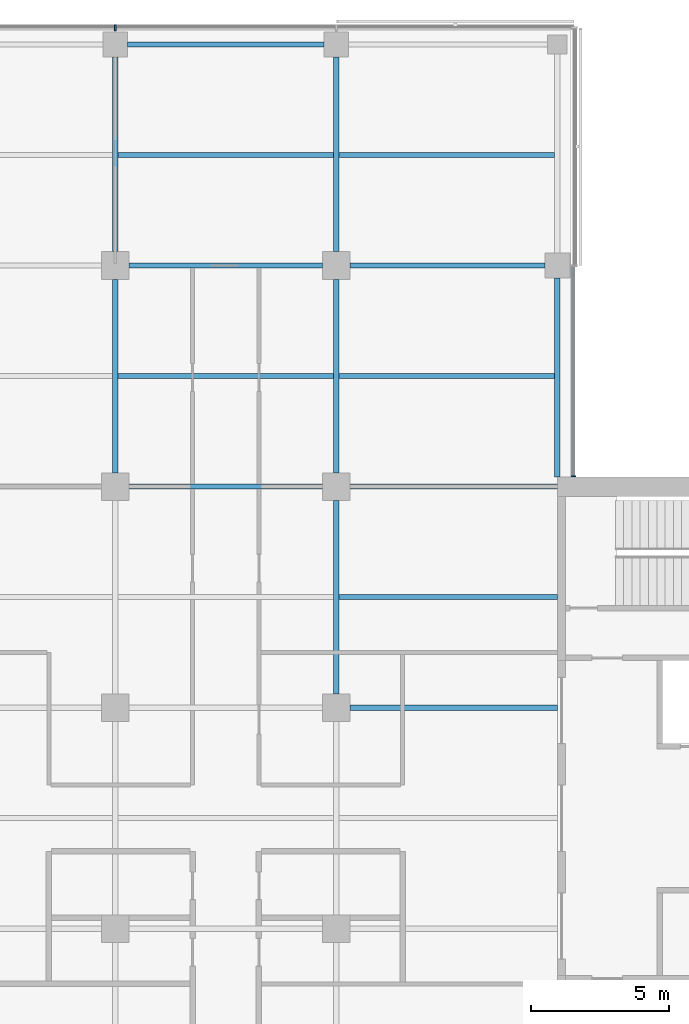
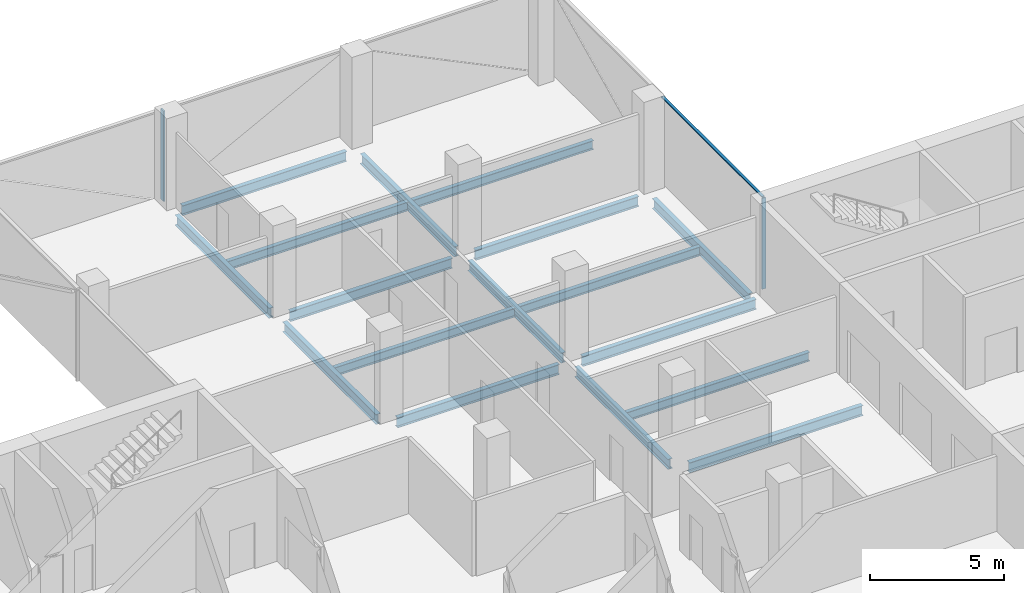
# One storey, part 9 of 22: 17 beams, 3 members, 2 elements without a shape of their own.
"""IFC4 building model written with IfcOpenShell, lengths in metres."""

from ifc_helpers import new_model, si_unit, direction, frame, origin, origin_2d, place, context, subcontext, project, spatial, rectangle, i_section, extrude, material, material_profile, profile_set, type_object, element, aggregate, save


model = new_model("IFC4")

# Units and contexts
model_context = context("Model", 3, precision=1e-05, world=origin(), true_north=direction((0.0, 1.0)))
body_context = subcontext(model_context, "Body", "Model", "MODEL_VIEW")
ifc_project = project(units=[si_unit("LENGTHUNIT", "METRE"), si_unit("AREAUNIT", "SQUARE_METRE"), si_unit("VOLUMEUNIT", "CUBIC_METRE"), si_unit("PLANEANGLEUNIT", "RADIAN"), si_unit("MASSUNIT", "GRAM", prefix="KILO")], contexts=[model_context])

# Site, building, storey
site_placement = place(None, origin())
site = spatial("IfcSite", under=ifc_project, at=site_placement, CompositionType="ELEMENT")
building_placement = place(site_placement, origin())
building = spatial("IfcBuilding", under=site, at=building_placement, Name="Crosswind Convention Tower", CompositionType="ELEMENT")
storey_placement = place(building_placement, frame((0.0, 0.0, 154.699951171875)))
storey = spatial("IfcBuildingStorey", under=building, at=storey_placement, Name="L32", CompositionType="ELEMENT", Elevation=154.699951171875)

# Beams
ifc_material_1 = material(Name="Steel S355", Category="steel")
ifc_material_profile_1 = material_profile(ifc_material_1, i_section(OverallWidth=0.18994140625, OverallDepth=0.45361328125, WebThickness=0.008544921875, FlangeThickness=0.0126953125, FilletRadius=0.01025390625, at=origin_2d()), Name="UB 457x191x67")
ifc_profile_set_1 = profile_set([ifc_material_profile_1], Name="Steel S355")
beam_type_1 = type_object("IfcBeamType", Name="Edge beam UB 457x191x67", PredefinedType="SPANDREL", material=ifc_profile_set_1)
beam_1_placement = place(storey_placement, frame((121.449951171875, 128.0, -0.52685546875), z_axis=(1.0, 0.0, 0.0), x_axis=(0.0, 1.0, 0.0)))
element("IfcBeam", 1, at=beam_1_placement, inside=storey, type_object=beam_type_1, Name="B16 L32 edge beam 13", PredefinedType="SPANDREL", context=body_context, shape_type="SweptSolid", body=[
    extrude(i_section(OverallWidth=0.18994140625, OverallDepth=0.45361328125, WebThickness=0.008544921875, FlangeThickness=0.0126953125, FilletRadius=0.01025390625, at=origin_2d()), origin(), (0.0, 0.0, 1.0), 7.10009765625),
])
beam_2_placement = place(storey_placement, frame((137.0, 112.35009765625, -0.52685546875), z_axis=(0.0, 1.0, 0.0), x_axis=(-1.0, 0.0, 0.0)))
element("IfcBeam", 2, at=beam_2_placement, inside=storey, type_object=beam_type_1, Name="B16 L32 edge beam 18", PredefinedType="SPANDREL", context=body_context, shape_type="SweptSolid", body=[
    extrude(i_section(OverallWidth=0.18994140625, OverallDepth=0.45361328125, WebThickness=0.008544921875, FlangeThickness=0.0126953125, FilletRadius=0.01025390625, at=origin_2d()), origin(), (0.0, 0.0, 1.0), 7.199951171875),
])
ifc_material_profile_2 = material_profile(ifc_material_1, i_section(OverallWidth=0.19140625, OverallDepth=0.460205078125, WebThickness=0.010009765625, FlangeThickness=0.01611328125, FilletRadius=0.01025390625, at=origin_2d()), Name="UB 457x191x82")
ifc_profile_set_2 = profile_set([ifc_material_profile_2], Name="Steel S355")
beam_type_2 = type_object("IfcBeamType", Name="Girder UB 457x191x82", PredefinedType="BEAM", material=ifc_profile_set_2)
beam_3_placement = place(storey_placement, frame((121.0, 112.5, -0.530029296875), z_axis=(0.0, 1.0, 0.0), x_axis=(-1.0, 0.0, 0.0)))
element("IfcBeam", 3, at=beam_3_placement, inside=storey, type_object=beam_type_2, Name="B3 L32 girder 8", PredefinedType="BEAM", context=body_context, shape_type="SweptSolid", body=[
    extrude(i_section(OverallWidth=0.19140625, OverallDepth=0.460205078125, WebThickness=0.010009765625, FlangeThickness=0.01611328125, FilletRadius=0.01025390625, at=origin_2d()), origin(), (0.0, 0.0, 1.0), 7.0),
])
beam_4_placement = place(storey_placement, frame((121.0, 120.5, -0.530029296875), z_axis=(0.0, 1.0, 0.0), x_axis=(-1.0, 0.0, 0.0)))
element("IfcBeam", 4, at=beam_4_placement, inside=storey, type_object=beam_type_2, Name="B3 L32 girder 9", PredefinedType="BEAM", context=body_context, shape_type="SweptSolid", body=[
    extrude(i_section(OverallWidth=0.19140625, OverallDepth=0.460205078125, WebThickness=0.010009765625, FlangeThickness=0.01611328125, FilletRadius=0.01025390625, at=origin_2d()), origin(), (0.0, 0.0, 1.0), 7.050048828125),
])
for number, where, z_axis, x_axis, name in (
    (5, (121.5, 112.0, -0.530029296875), (1.0, 0.0, 0.0), (0.0, 1.0, 0.0), "B3 L32 girder 14"),
    (6, (121.5, 120.0, -0.530029296875), (1.0, 0.0, 0.0), (0.0, 1.0, 0.0), "B3 L32 girder 15"),
    (7, (129.0, 104.5, -0.530029296875), (0.0, 1.0, 0.0), (-1.0, 0.0, 0.0), "B3 L32 girder 20"),
    (8, (129.0, 112.5, -0.530029296875), (0.0, 1.0, 0.0), (-1.0, 0.0, 0.0), "B3 L32 girder 21"),
):
    element("IfcBeam", number, at=place(storey_placement, frame(where, z_axis=z_axis, x_axis=x_axis)), inside=storey, type_object=beam_type_2, Name=name, PredefinedType="BEAM", context=body_context, shape_type="SweptSolid", body=[
        extrude(i_section(OverallWidth=0.19140625, OverallDepth=0.460205078125, WebThickness=0.010009765625, FlangeThickness=0.01611328125, FilletRadius=0.01025390625, at=origin_2d()), origin(), (0.0, 0.0, 1.0), 7.0),
    ])
for number, where, z_axis, x_axis, name in (
    (9, (129.0, 120.5, -0.530029296875), (0.0, 1.0, 0.0), (-1.0, 0.0, 0.0), "B3 L32 girder 22"),
    (10, (129.5, 120.0, -0.530029296875), (1.0, 0.0, 0.0), (0.0, 1.0, 0.0), "B3 L32 girder 24"),
):
    element("IfcBeam", number, at=place(storey_placement, frame(where, z_axis=z_axis, x_axis=x_axis)), inside=storey, type_object=beam_type_2, Name=name, PredefinedType="BEAM", context=body_context, shape_type="SweptSolid", body=[
        extrude(i_section(OverallWidth=0.19140625, OverallDepth=0.460205078125, WebThickness=0.010009765625, FlangeThickness=0.01611328125, FilletRadius=0.01025390625, at=origin_2d()), origin(), (0.0, 0.0, 1.0), 7.050048828125),
    ])
ifc_material_profile_3 = material_profile(ifc_material_1, i_section(OverallWidth=0.19189453125, OverallDepth=0.463623046875, WebThickness=0.010498046875, FlangeThickness=0.017578125, FilletRadius=0.01025390625, at=origin_2d()), Name="UB 457x191x90")
ifc_profile_set_3 = profile_set([ifc_material_profile_3], Name="Steel S355")
beam_type_3 = type_object("IfcBeamType", Name="Girder at core wall UB 457x191x90", PredefinedType="BEAM", material=ifc_profile_set_3)
for number, where, z_axis, x_axis, name in (
    (11, (129.5, 104.0, -0.53173828125), (1.0, 0.0, 0.0), (0.0, 1.0, 0.0), "B24 L32 girder at core wall 9"),
    (12, (129.5, 112.0, -0.53173828125), (1.0, 0.0, 0.0), (0.0, 1.0, 0.0), "B24 L32 girder at core wall 10"),
):
    element("IfcBeam", number, at=place(storey_placement, frame(where, z_axis=z_axis, x_axis=x_axis)), inside=storey, type_object=beam_type_3, Name=name, PredefinedType="BEAM", context=body_context, shape_type="SweptSolid", body=[
        extrude(i_section(OverallWidth=0.19189453125, OverallDepth=0.463623046875, WebThickness=0.010498046875, FlangeThickness=0.017578125, FilletRadius=0.01025390625, at=origin_2d()), origin(), (0.0, 0.0, 1.0), 7.5),
    ])

# Curtain wall, member
ifc_material_2 = material(Name="Aluminium unitised curtain wall", Category="aluminium")
curtain_wall_type_1 = type_object("IfcCurtainWallType", Name="CORE END SLOT WALL 160", PredefinedType="USERDEFINED", material=ifc_material_2)
curtain_wall_1_placement = place(storey_placement, origin())
curtain_wall_1 = element("IfcCurtainWall", 13, at=curtain_wall_1_placement, inside=storey, type_object=curtain_wall_type_1, Name="CW6 L32 N-E.1-1 slot", ObjectType="UNITISED", PredefinedType="USERDEFINED")
ifc_material_3 = material(Name="Aluminium mullion", Category="aluminium")
ifc_material_profile_4 = material_profile(ifc_material_3, rectangle(XDim=0.159912109375, YDim=0.050048828125, at=origin_2d()), Name="AL 160X50")
ifc_profile_set_4 = profile_set([ifc_material_profile_4], Name="Aluminium mullion")
member_type_1 = type_object("IfcMemberType", Name="MULLION 50X160", PredefinedType="MULLION", material=ifc_profile_set_4)
member_1_placement = place(storey_placement, frame((137.580078125, 112.375, -0.300048828125), z_axis=(0.0, 0.0, 1.0), x_axis=(1.0, 0.0, 0.0)))
member_1 = element("IfcMember", 14, at=member_1_placement, type_object=member_type_1, Name="CW6 mullion 1", PredefinedType="MULLION", context=body_context, shape_type="SweptSolid", body=[
    extrude(rectangle(XDim=0.159912109375, YDim=0.050048828125, at=origin_2d()), origin(), (0.0, 0.0, 1.0), 4.150146484375),
])

curtain_wall_type_2 = type_object("IfcCurtainWallType", Name="OFFICE UNITISED WALL 220", PredefinedType="USERDEFINED", material=ifc_material_2)
curtain_wall_2_placement = place(storey_placement, origin())
curtain_wall_2 = element("IfcCurtainWall", 15, at=curtain_wall_2_placement, inside=storey, type_object=curtain_wall_type_2, Name="CW3 L32 N-TIP 1", ObjectType="UNITISED", PredefinedType="USERDEFINED")
ifc_material_profile_5 = material_profile(ifc_material_3, rectangle(XDim=0.219970703125, YDim=0.070068359375, at=origin_2d()), Name="AL 220X70")
ifc_profile_set_5 = profile_set([ifc_material_profile_5], Name="Aluminium mullion")
member_type_2 = type_object("IfcMemberType", Name="MULLION 70X220", PredefinedType="MULLION", material=ifc_profile_set_5)
member_2_placement = place(storey_placement, frame((121.0, 128.610107421875, -0.300048828125), z_axis=(0.0, 0.0, 1.0), x_axis=(0.0, 1.0, 0.0)))
member_2 = element("IfcMember", 16, at=member_2_placement, type_object=member_type_2, Name="CW3 mullion 3", PredefinedType="MULLION", context=body_context, shape_type="SweptSolid", body=[
    extrude(rectangle(XDim=0.219970703125, YDim=0.070068359375, at=origin_2d()), origin(), (0.0, 0.0, 1.0), 4.130126953125),
])
aggregate(curtain_wall_2, [member_2])

# Beams
ifc_material_profile_6 = material_profile(ifc_material_1, i_section(OverallWidth=0.177734375, OverallDepth=0.406494140625, WebThickness=0.0078125, FlangeThickness=0.0126953125, FilletRadius=0.01025390625, at=origin_2d()), Name="UB 406x178x60")
ifc_profile_set_6 = profile_set([ifc_material_profile_6], Name="Steel S355")
beam_type_4 = type_object("IfcBeamType", Name="Secondary beam UB 406x178x60", PredefinedType="JOIST", material=ifc_profile_set_6)
for number, where, z_axis, x_axis, name in (
    (17, (121.095703125, 116.0, -0.503173828125), (1.0, 0.0, 0.0), (0.0, 1.0, 0.0), "B10 L32 secondary beam 16"),
    (18, (121.095703125, 124.0, -0.503173828125), (1.0, 0.0, 0.0), (0.0, 1.0, 0.0), "B10 L32 secondary beam 17"),
):
    element("IfcBeam", number, at=place(storey_placement, frame(where, z_axis=z_axis, x_axis=x_axis)), inside=storey, type_object=beam_type_4, Name=name, PredefinedType="JOIST", context=body_context, shape_type="SweptSolid", body=[
        extrude(i_section(OverallWidth=0.177734375, OverallDepth=0.406494140625, WebThickness=0.0078125, FlangeThickness=0.0126953125, FilletRadius=0.01025390625, at=origin_2d()), origin(), (0.0, 0.0, 1.0), 7.80859375),
    ])
beam_5_placement = place(storey_placement, frame((129.095703125, 108.0, -0.503173828125), z_axis=(1.0, 0.0, 0.0), x_axis=(0.0, 1.0, 0.0)))
element("IfcBeam", 19, at=beam_5_placement, inside=storey, type_object=beam_type_4, Name="B10 L32 secondary beam 22", PredefinedType="JOIST", context=body_context, shape_type="SweptSolid", body=[
    extrude(i_section(OverallWidth=0.177734375, OverallDepth=0.406494140625, WebThickness=0.0078125, FlangeThickness=0.0126953125, FilletRadius=0.01025390625, at=origin_2d()), origin(), (0.0, 0.0, 1.0), 7.904296875),
])
for number, where, z_axis, x_axis, name in (
    (20, (129.095703125, 116.0, -0.503173828125), (1.0, 0.0, 0.0), (0.0, 1.0, 0.0), "B10 L32 secondary beam 23"),
    (21, (129.095703125, 124.0, -0.503173828125), (1.0, 0.0, 0.0), (0.0, 1.0, 0.0), "B10 L32 secondary beam 24"),
):
    element("IfcBeam", number, at=place(storey_placement, frame(where, z_axis=z_axis, x_axis=x_axis)), inside=storey, type_object=beam_type_4, Name=name, PredefinedType="JOIST", context=body_context, shape_type="SweptSolid", body=[
        extrude(i_section(OverallWidth=0.177734375, OverallDepth=0.406494140625, WebThickness=0.0078125, FlangeThickness=0.0126953125, FilletRadius=0.01025390625, at=origin_2d()), origin(), (0.0, 0.0, 1.0), 7.809326171875),
    ])

# Member
ifc_material_4 = material(Name="Aluminium transom", Category="aluminium")
ifc_material_profile_7 = material_profile(ifc_material_4, rectangle(XDim=0.1201171875, YDim=0.050048828125, at=origin_2d()), Name="AL 120X50")
ifc_profile_set_7 = profile_set([ifc_material_profile_7], Name="Aluminium transom")
member_type_3 = type_object("IfcMemberType", Name="TRANSOM 50X120", PredefinedType="USERDEFINED", material=ifc_profile_set_7)
member_3_placement = place(storey_placement, frame((137.580078125, 112.39990234375, 3.875), z_axis=(0.0, 1.0, 0.0), x_axis=(-1.0, 0.0, 0.0)))
member_3 = element("IfcMember", 22, at=member_3_placement, type_object=member_type_3, Name="CW6 transom", ObjectType="TRANSOM", PredefinedType="USERDEFINED", context=body_context, shape_type="SweptSolid", body=[
    extrude(rectangle(XDim=0.1201171875, YDim=0.050048828125, at=origin_2d()), origin(), (0.0, 0.0, 1.0), 7.550048828125),
])

aggregate(curtain_wall_1, [member_1, member_3])

save(model, "model.ifc")
